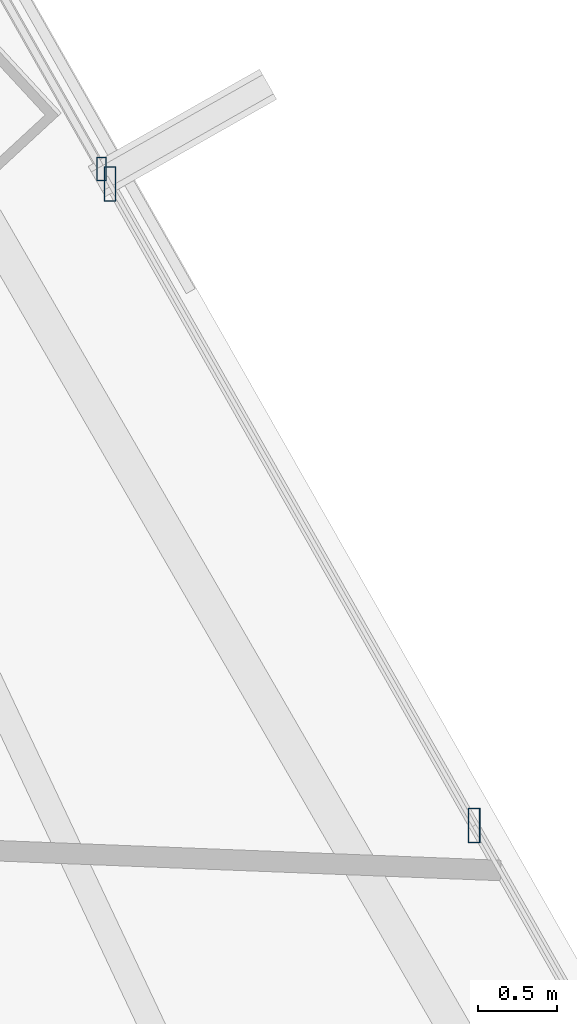
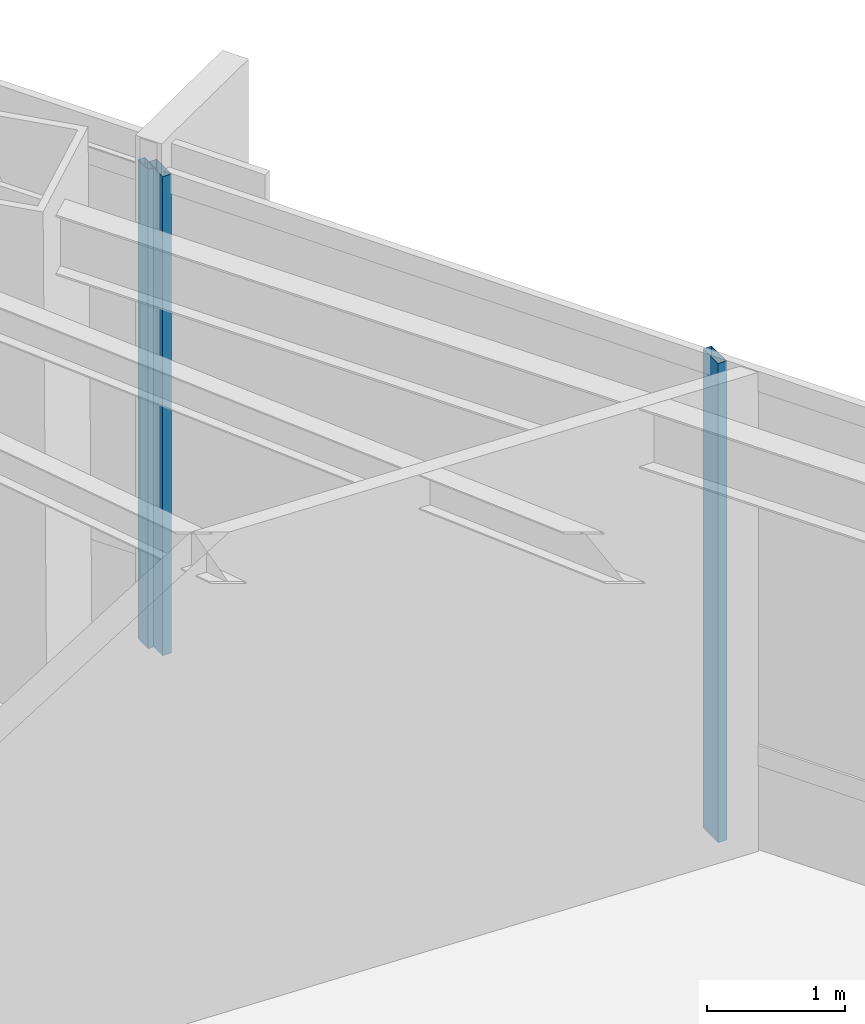
# One storey, part 20 of 37: 3 members, 2 elements without a shape of their own.
"""IFC4 building model written with IfcOpenShell, lengths in metres."""

from ifc_helpers import new_model, si_unit, direction, frame, origin, origin_2d, place, context, subcontext, project, spatial, hollow_rectangle, extrude, source, transform, mapped, material, material_profile, profile_set, type_object, type_shapes, element, aggregate, save


model = new_model("IFC4")

# Units and contexts
model_context = context("Model", 3, precision=1e-05, world=origin(), true_north=direction((0.0, 1.0)))
body_context = subcontext(model_context, "Body", "Model", "MODEL_VIEW")
ifc_project = project(units=[si_unit("LENGTHUNIT", "METRE"), si_unit("AREAUNIT", "SQUARE_METRE"), si_unit("VOLUMEUNIT", "CUBIC_METRE"), si_unit("PLANEANGLEUNIT", "RADIAN"), si_unit("MASSUNIT", "GRAM", prefix="KILO")], contexts=[model_context])

# Site, building, storey
site_placement = place(None, origin())
site = spatial("IfcSite", under=ifc_project, at=site_placement, CompositionType="ELEMENT")
building_placement = place(site_placement, origin())
building = spatial("IfcBuilding", under=site, at=building_placement, Name="Caelisora Broadcast Tower", CompositionType="ELEMENT")
storey_placement = place(building_placement, frame((0.0, 0.0, 127.300048828125)))
storey = spatial("IfcBuildingStorey", under=building, at=storey_placement, Name="L33", CompositionType="ELEMENT", Elevation=127.300048828125)

# Curtain wall, members
ifc_material_1 = material(Name="Unitised Aluminium and Low-E Glass Curtain Wall", Category="glass")
curtain_wall_type_1 = type_object("IfcCurtainWallType", Name="CW-SKY", PredefinedType="NOTDEFINED", material=ifc_material_1)
curtain_wall_1_placement = place(storey_placement, origin())
curtain_wall_1 = element("IfcCurtainWall", 1, at=curtain_wall_1_placement, inside=storey, type_object=curtain_wall_type_1, Name="L33 curtain wall CW-SKY", PredefinedType="NOTDEFINED")
ifc_material_2 = material(Name="Aluminium 6063-T6 Anodised Terracotta Bronze", Category="aluminium")
ifc_material_profile_1 = material_profile(ifc_material_2, hollow_rectangle(XDim=0.074951171875, YDim=0.219970703125, WallThickness=0.00390625, at=origin_2d()), Name="Aluminium 6063-T6 Anodised Terracotta Bronze")
ifc_profile_set_1 = profile_set([ifc_material_profile_1], Name="Aluminium 6063-T6 Anodised Terracotta Bronze")
member_type_1 = type_object("IfcMemberType", Name="CWM-01", PredefinedType="MULLION", material=ifc_profile_set_1)
shared_shape_1 = source(origin(), body_context, "Body", "SweptSolid", [
    extrude(hollow_rectangle(XDim=0.074951171875, YDim=0.219970703125, WallThickness=0.00390625, at=origin_2d()), origin(), (0.0, 0.0, 1.0), 4.25),
])
type_shapes(member_type_1, [shared_shape_1])
member_1_placement = place(storey_placement, frame((56.666015625, 27.519287109375, 0.0), z_axis=(0.0, 0.0, 1.0), x_axis=(1.0, 0.0, 0.0)))
member_1 = element("IfcMember", 2, at=member_1_placement, type_object=member_type_1, Name="L33-CW-B03 mullion #0", PredefinedType="MULLION", context=body_context, shape_type="MappedRepresentation", body=[
    mapped(shared_shape_1, transform((0.0, 0.0, 0.0), scale=1.0)),
])
member_2_placement = place(storey_placement, frame((58.976318359375, 23.449951171875, 0.0), z_axis=(0.0, 0.0, 1.0), x_axis=(1.0, 0.0, 0.0)))
member_2 = element("IfcMember", 3, at=member_2_placement, type_object=member_type_1, Name="L33-CW-B03 mullion #1", PredefinedType="MULLION", context=body_context, shape_type="MappedRepresentation", body=[
    mapped(shared_shape_1, transform((0.0, 0.0, 0.0), scale=1.0)),
])
aggregate(curtain_wall_1, [member_1, member_2])

# Curtain wall, member
ifc_material_3 = material(Name="Unitised Aluminium Insulated Shadow-Box Spandrel Curtain Wall", Category="aluminium")
curtain_wall_type_2 = type_object("IfcCurtainWallType", Name="CW-SP2", PredefinedType="NOTDEFINED", material=ifc_material_3)
curtain_wall_2_placement = place(storey_placement, origin())
curtain_wall_2 = element("IfcCurtainWall", 4, at=curtain_wall_2_placement, inside=storey, type_object=curtain_wall_type_2, Name="L33 curtain wall CW-SP2", PredefinedType="NOTDEFINED")
ifc_material_profile_2 = material_profile(ifc_material_2, hollow_rectangle(XDim=0.06005859375, YDim=0.14990234375, WallThickness=0.00341796875, at=origin_2d()), Name="Aluminium 6063-T6 Anodised Terracotta Bronze")
ifc_profile_set_2 = profile_set([ifc_material_profile_2], Name="Aluminium 6063-T6 Anodised Terracotta Bronze")
member_type_2 = type_object("IfcMemberType", Name="CWM-03", PredefinedType="MULLION", material=ifc_profile_set_2)
shared_shape_2 = source(origin(), body_context, "Body", "SweptSolid", [
    extrude(hollow_rectangle(XDim=0.06005859375, YDim=0.14990234375, WallThickness=0.00341796875, at=origin_2d()), origin(), (0.0, 0.0, 1.0), 4.25),
])
type_shapes(member_type_2, [shared_shape_2])
member_3_placement = place(storey_placement, frame((56.61181640625, 27.614990234375, 0.0), z_axis=(0.0, 0.0, 1.0), x_axis=(1.0, 0.0, 0.0)))
member_3 = element("IfcMember", 5, at=member_3_placement, type_object=member_type_2, Name="L33-CW-B02 mullion #3", PredefinedType="MULLION", context=body_context, shape_type="MappedRepresentation", body=[
    mapped(shared_shape_2, transform((0.0, 0.0, 0.0), scale=1.0)),
])
aggregate(curtain_wall_2, [member_3])

save(model, "model.ifc")
